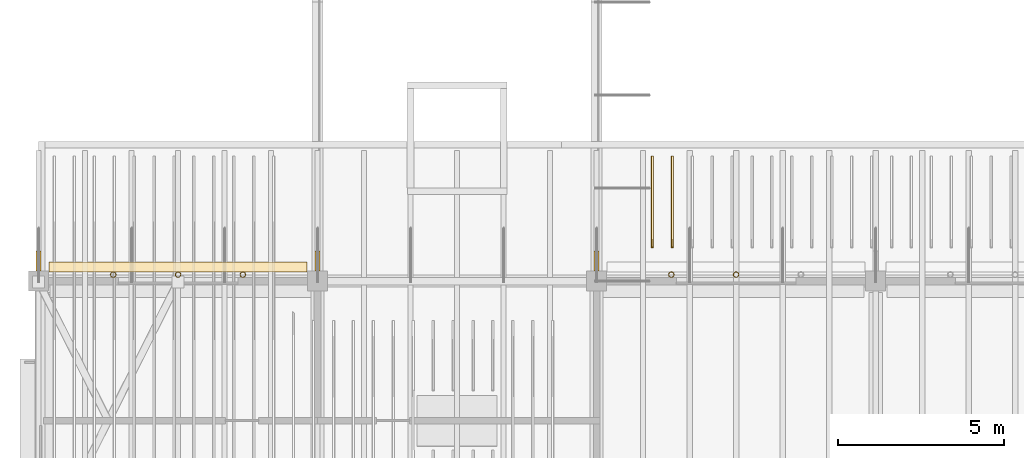
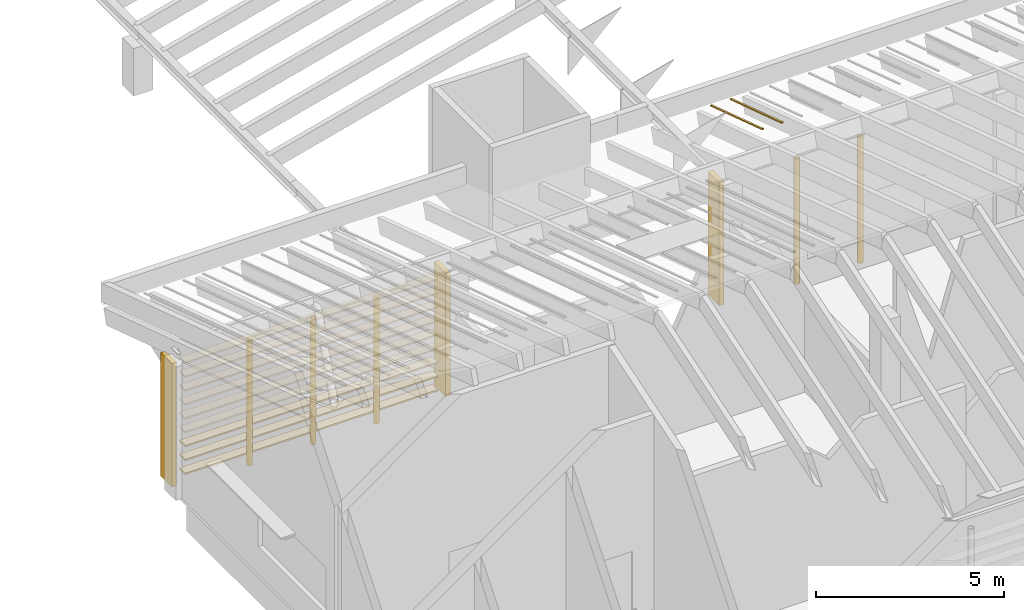
# One storey, part 38 of 59: 11 coverings, 8 shading devices.
"""IFC4 building model written with IfcOpenShell, lengths in metres."""

from ifc_helpers import new_model, si_unit, direction, frame, origin, origin_2d, place, context, subcontext, project, spatial, polyline, rectangle, hollow_circle, outline, extrude, material, layer, layer_set, material_profile, profile_set, type_object, element, save


model = new_model("IFC4")

# Units and contexts
model_context = context("Model", 3, precision=1e-05, world=origin(), true_north=direction((0.0, 1.0)))
body_context = subcontext(model_context, "Body", "Model", "MODEL_VIEW")
ifc_project = project(units=[si_unit("LENGTHUNIT", "METRE"), si_unit("AREAUNIT", "SQUARE_METRE"), si_unit("VOLUMEUNIT", "CUBIC_METRE"), si_unit("PLANEANGLEUNIT", "RADIAN"), si_unit("MASSUNIT", "GRAM", prefix="KILO")], contexts=[model_context])

# Site, building, storey
site_placement = place(None, origin())
site = spatial("IfcSite", under=ifc_project, at=site_placement, CompositionType="ELEMENT")
building_placement = place(site_placement, origin())
building = spatial("IfcBuilding", under=site, at=building_placement, Name="Almond Square Museum", CompositionType="ELEMENT")
storey_placement = place(building_placement, frame((0.0, 0.0, 25.0)))
storey = spatial("IfcBuildingStorey", under=building, at=storey_placement, Name="L04", CompositionType="ELEMENT", Elevation=25.0)

# Shading devices
ifc_material_1 = material(Name="Structural steel S355", Category="steel")
ifc_material_profile_1 = material_profile(ifc_material_1, hollow_circle(Radius=0.084228515625, WallThickness=0.008056640625, at=origin_2d()))
ifc_profile_set_1 = profile_set([ifc_material_profile_1], Name="Structural steel S355")
shading_device_type_1 = type_object("IfcShadingDeviceType", Name="Louvre post CHS 168.3 x 8", PredefinedType="USERDEFINED", material=ifc_profile_set_1)
for number, where, z_axis, x_axis, name in (
    (1, (25.050048828125, 16.994140625, 0.0), (0.0, 0.0, 1.0), (1.0, 0.0, 0.0), "Louvre screen post"),
    (2, (27.0, 16.994140625, 0.0), (0.0, 0.0, 1.0), (1.0, 0.0, 0.0), "Louvre screen post"),
    (3, (8.25, 16.994140625, 0.0), (0.0, 0.0, 1.0), (1.0, 0.0, 0.0), "Louvre screen post"),
    (4, (10.199951171875, 16.994140625, 0.0), (0.0, 0.0, 1.0), (1.0, 0.0, 0.0), "Louvre screen post"),
    (5, (12.14990234375, 16.994140625, 0.0), (0.0, 0.0, 1.0), (1.0, 0.0, 0.0), "Louvre screen post"),
):
    element("IfcShadingDevice", number, at=place(storey_placement, frame(where, z_axis=z_axis, x_axis=x_axis)), inside=storey, type_object=shading_device_type_1, Name=name, ObjectType="POST", PredefinedType="USERDEFINED", context=body_context, shape_type="SweptSolid", body=[
        extrude(hollow_circle(Radius=0.084228515625, WallThickness=0.008056640625, at=origin_2d()), origin(), (0.0, 0.0, 1.0), 4.08447265625),
    ])

# Coverings
ifc_material_2 = material(Name="Cedar timber louvre board", Category="wood")
ifc_material_profile_2 = material_profile(ifc_material_2, rectangle(XDim=0.300048828125, YDim=0.050048828125, at=origin_2d()))
ifc_profile_set_2 = profile_set([ifc_material_profile_2], Name="Cedar timber louvre board")
covering_type_1 = type_object("IfcCoveringType", Name="Louvre screen board 300 x 50", PredefinedType="CLADDING", material=ifc_profile_set_2)
for number, where, z_axis, x_axis, name in (
    (6, (6.320068359375, 17.224365234375, 0.300048828125), (1.0, 0.0, 0.0), (0.0, 1.0, 0.0), "Louvre screen board"),
    (7, (6.320068359375, 17.224365234375, 0.75), (1.0, 0.0, 0.0), (0.0, 1.0, 0.0), "Louvre screen board"),
    (8, (6.320068359375, 17.224365234375, 1.199951171875), (1.0, 0.0, 0.0), (0.0, 1.0, 0.0), "Louvre screen board"),
    (9, (6.320068359375, 17.224365234375, 1.64990234375), (1.0, 0.0, 0.0), (0.0, 1.0, 0.0), "Louvre screen board"),
    (10, (6.320068359375, 17.224365234375, 2.10009765625), (1.0, 0.0, 0.0), (0.0, 1.0, 0.0), "Louvre screen board"),
    (11, (6.320068359375, 17.224365234375, 2.550048828125), (1.0, 0.0, 0.0), (0.0, 1.0, 0.0), "Louvre screen board"),
    (12, (6.320068359375, 17.224365234375, 3.0), (1.0, 0.0, 0.0), (0.0, 1.0, 0.0), "Louvre screen board"),
    (13, (6.320068359375, 17.224365234375, 3.449951171875), (1.0, 0.0, 0.0), (0.0, 1.0, 0.0), "Louvre screen board"),
    (14, (6.320068359375, 17.224365234375, 3.89990234375), (1.0, 0.0, 0.0), (0.0, 1.0, 0.0), "Louvre screen board"),
):
    element("IfcCovering", number, at=place(storey_placement, frame(where, z_axis=z_axis, x_axis=x_axis)), inside=storey, type_object=covering_type_1, Name=name, PredefinedType="CLADDING", context=body_context, shape_type="SweptSolid", body=[
        extrude(rectangle(XDim=0.300048828125, YDim=0.050048828125, at=origin_2d()), origin(), (0.0, 0.0, 1.0), 7.760009765625),
    ])
ifc_material_3 = material(Name="Zinc standing seam")
ifc_layer = layer(ifc_material_3, 0.0400390625)
ifc_layer_set = layer_set([ifc_layer], Name="Zinc standing seam")
covering_type_2 = type_object("IfcCoveringType", Name="Roof standing seam rib 60 x 40", PredefinedType="CLADDING", material=ifc_layer_set)
for number, where, z_axis, x_axis, name in (
    (15, (24.510009765625, 17.800048828125, 4.675048828125), (0.0, 0.309024978252, 0.951053922139), (0.0, 0.951053922139, -0.309024978252), "Roof standing seam rib"),
    (16, (25.110107421875, 17.800048828125, 4.675048828125), (0.0, 0.309024978252, 0.951053922139), (0.0, 0.951053922139, -0.309024978252), "Roof standing seam rib"),
):
    element("IfcCovering", number, at=place(storey_placement, frame(where, z_axis=z_axis, x_axis=x_axis)), inside=storey, type_object=covering_type_2, Name=name, PredefinedType="CLADDING", context=body_context, shape_type="SweptSolid", body=[
        extrude(outline(polyline([(0.0, 0.0), (2.891529003754454, 0.0), (2.891529003754454, 0.06005859375), (0.0, 0.06005859375), (0.0, 0.0)])), origin(), (0.0, 0.0, 1.0), 0.0400390625),
    ])

# Shading devices
ifc_material_4 = material(Name="Cedar timber fin", Category="wood")
shading_device_type_2 = type_object("IfcShadingDeviceType", Name="Timber storm fin 150 x 600", PredefinedType="USERDEFINED", material=ifc_material_4)
for number, where, z_axis, x_axis, name in (
    (17, (6.0, 17.39990234375, 0.0), (0.0, 0.0, 1.0), (1.0, 0.0, 0.0), "Timber storm fin"),
    (18, (14.39990234375, 17.39990234375, 0.0), (0.0, 0.0, 1.0), (1.0, 0.0, 0.0), "Timber storm fin"),
    (19, (22.800048828125, 17.39990234375, 0.0), (0.0, 0.0, 1.0), (1.0, 0.0, 0.0), "Timber storm fin"),
):
    element("IfcShadingDevice", number, at=place(storey_placement, frame(where, z_axis=z_axis, x_axis=x_axis)), inside=storey, type_object=shading_device_type_2, Name=name, ObjectType="FIN", PredefinedType="USERDEFINED", context=body_context, shape_type="SweptSolid", body=[
        extrude(rectangle(XDim=0.14990234375, YDim=0.60009765625, at=origin_2d()), origin(), (0.0, 0.0, 1.0), 4.007568359375),
    ])

save(model, "model.ifc")
